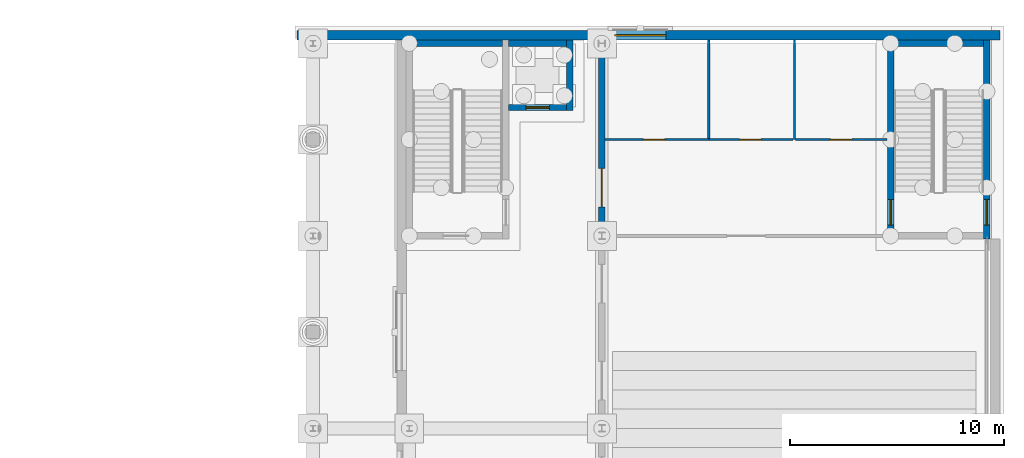
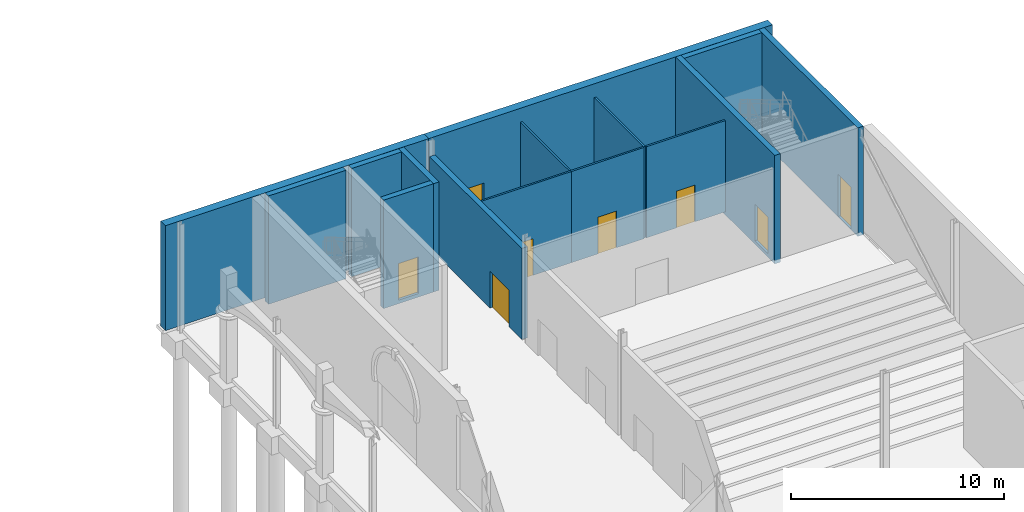
# One storey, part 76 of 106: 15 walls, 8 doors, 8 openings.
"""IFC4 building model written with IfcOpenShell, lengths in metres."""

from ifc_helpers import new_model, si_unit, direction, frame, frame_2d, origin, place, context, subcontext, project, spatial, rectangle, extrude, material, layer, layer_set, type_object, element, fill, save


model = new_model("IFC4")

# Units and contexts
model_context = context("Model", 3, precision=1e-05, world=origin(), true_north=direction((0.0, 1.0)))
body_context = subcontext(model_context, "Body", "Model", "MODEL_VIEW")
ifc_project = project(units=[si_unit("LENGTHUNIT", "METRE"), si_unit("AREAUNIT", "SQUARE_METRE"), si_unit("VOLUMEUNIT", "CUBIC_METRE"), si_unit("PLANEANGLEUNIT", "RADIAN"), si_unit("MASSUNIT", "GRAM", prefix="KILO")], contexts=[model_context])

# Site, building, storey
site_placement = place(None, origin())
site = spatial("IfcSite", under=ifc_project, at=site_placement, CompositionType="ELEMENT")
building_placement = place(site_placement, origin())
building = spatial("IfcBuilding", under=site, at=building_placement, Name="Hortulan Conservatory and Botanical Research Centre", CompositionType="ELEMENT")
storey_placement = place(building_placement, origin())
storey = spatial("IfcBuildingStorey", under=building, at=storey_placement, Name="L00", CompositionType="ELEMENT", Elevation=0.0)

# Wall, opening, door
ifc_material_1 = material(Name="Brick masonry with acoustic lining", Category="masonry")
ifc_layer_1 = layer(ifc_material_1, 0.300048828125)
ifc_layer_set_1 = layer_set([ifc_layer_1], Name="Acoustic Hall Wall 300")
wall_type_1 = type_object("IfcWallType", Name="Acoustic Hall Wall 300", PredefinedType="STANDARD", material=ifc_layer_set_1)
wall_1_placement = place(storey_placement, frame((90.0, 63.17041015625, 0.0), z_axis=(0.0, 0.0, 1.0), x_axis=(0.0, 1.0, 0.0)))
wall_1 = element("IfcWall", 1, at=wall_1_placement, inside=storey, type_object=wall_type_1, Name="Auditorium hall wall L00 066", PredefinedType="STANDARD", context=body_context, shape_type="SweptSolid", body=[
    extrude(rectangle(XDim=8.6591796875, YDim=0.300048828125, at=frame_2d((4.32958984375, 0.0))), origin(), (0.0, 0.0, 1.0), 5.218017578125),
])
opening_1_placement = place(wall_1_placement, frame((1.179443359375, 0.0, 0.0)))
opening_1 = element("IfcOpeningElement", 2, at=opening_1_placement, cuts=wall_1, Name="Opening DT8", PredefinedType="OPENING", context=body_context, shape_type="SweptSolid", body=[
    extrude(rectangle(XDim=1.800048828125, YDim=2.10009765625, at=frame_2d((0.89990234375, 1.050048828125))), frame((0.0, 0.159912109375, 0.0), z_axis=(0.0, -1.0, 0.0), x_axis=(1.0, 0.0, 0.0)), (0.0, 0.0, 1.0), 0.320068359375),
])
ifc_material_2 = material(Name="Steel door leaf, insulated", Category="steel")
door_type_1 = type_object("IfcDoorType", Name="Lobby Double Door 1800x2100 FRL -/60/30", OperationType="DOUBLE_DOOR_SINGLE_SWING", PredefinedType="DOOR", material=ifc_material_2)
door_1_placement = place(opening_1_placement, origin())
door_1 = element("IfcDoor", 3, at=door_1_placement, inside=storey, type_object=door_type_1, Name="Door DT8 Stalls Rear Foyer to Foyer Stair Lobby", OperationType="DOUBLE_DOOR_SINGLE_SWING", OverallHeight=2.10009765625, OverallWidth=1.800048828125, PredefinedType="DOOR", context=body_context, shape_type="SweptSolid", body=[
    extrude(rectangle(XDim=1.800048828125, YDim=2.10009765625, at=frame_2d((0.89990234375, 1.050048828125))), frame((0.0, 0.02490234375, 0.0), z_axis=(0.0, -1.0, 0.0), x_axis=(1.0, 0.0, 0.0)), (0.0, 0.0, 1.0), 0.050048828125),
])
fill(opening_1, door_1)

# Wall
ifc_material_3 = material(Name="Concrete N40 (40 MPa, AS 3600)", Category="concrete")
ifc_layer_2 = layer(ifc_material_3, 0.300048828125)
ifc_layer_set_2 = layer_set([ifc_layer_2], Name="Core Wall 300 N40 FRL 120/120/120")
wall_type_2 = type_object("IfcWallType", Name="Core Wall 300 N40 FRL 120/120/120", PredefinedType="SHEAR", material=ifc_layer_set_2)
wall_2_placement = place(storey_placement, frame((88.5, 68.85009765625, -0.199951171875), z_axis=(0.0, 0.0, 1.0), x_axis=(0.0, 1.0, 0.0)))
element("IfcWall", 4, at=wall_2_placement, inside=storey, type_object=wall_type_2, Name="Reinforced concrete shaft wall", PredefinedType="SHEAR", context=body_context, shape_type="SweptSolid", body=[
    extrude(rectangle(XDim=3.2998046875, YDim=0.300048828125, at=frame_2d((1.64990234375, 0.0))), origin(), (0.0, 0.0, 1.0), 6.199951171875),
])

# Wall, opening, door
wall_3_placement = place(storey_placement, frame((103.5, 62.85009765625, -0.199951171875), z_axis=(0.0, 0.0, 1.0), x_axis=(0.0, 1.0, 0.0)))
wall_3 = element("IfcWall", 5, at=wall_3_placement, inside=storey, type_object=wall_type_2, Name="Reinforced concrete shaft wall", PredefinedType="SHEAR", context=body_context, shape_type="SweptSolid", body=[
    extrude(rectangle(XDim=9.2998046875, YDim=0.300048828125, at=frame_2d((4.64990234375, 0.0))), origin(), (0.0, 0.0, 1.0), 6.199951171875),
])
opening_2_placement = place(wall_3_placement, frame((0.64990234375, 0.0, 0.199951171875)))
opening_2 = element("IfcOpeningElement", 6, at=opening_2_placement, cuts=wall_3, Name="Opening DT5", PredefinedType="OPENING", context=body_context, shape_type="SweptSolid", body=[
    extrude(rectangle(XDim=1.199951171875, YDim=2.10009765625, at=frame_2d((0.60009765625, 1.050048828125))), frame((0.0, 0.159912109375, 0.0), z_axis=(0.0, -1.0, 0.0), x_axis=(1.0, 0.0, 0.0)), (0.0, 0.0, 1.0), 0.320068359375),
])
door_type_2 = type_object("IfcDoorType", Name="Stair Door 1200x2100 FRL -/120/30", OperationType="NOTDEFINED", PredefinedType="DOOR", material=ifc_material_2)
door_2_placement = place(opening_2_placement, frame((1.199951171875, 0.0, 0.0), z_axis=(0.0, 0.0, 1.0), x_axis=(-1.0, 0.0, 0.0)))
door_2 = element("IfcDoor", 7, at=door_2_placement, inside=storey, type_object=door_type_2, Name="Stair door A3 L00 W to Stalls Rear Foyer", OperationType="SINGLE_SWING_RIGHT", OverallHeight=2.10009765625, OverallWidth=1.199951171875, PredefinedType="DOOR", context=body_context, shape_type="SweptSolid", body=[
    extrude(rectangle(XDim=1.199951171875, YDim=2.10009765625, at=frame_2d((0.60009765625, 1.050048828125))), frame((0.0, 0.02490234375, 0.0), z_axis=(0.0, -1.0, 0.0), x_axis=(1.0, 0.0, 0.0)), (0.0, 0.0, 1.0), 0.050048828125),
])
fill(opening_2, door_2)

wall_4_placement = place(storey_placement, frame((108.0, 62.85009765625, -0.199951171875), z_axis=(0.0, 0.0, 1.0), x_axis=(0.0, 1.0, 0.0)))
wall_4 = element("IfcWall", 8, at=wall_4_placement, inside=storey, type_object=wall_type_2, Name="Reinforced concrete shaft wall", PredefinedType="SHEAR", context=body_context, shape_type="SweptSolid", body=[
    extrude(rectangle(XDim=9.2998046875, YDim=0.300048828125, at=frame_2d((4.64990234375, 0.0))), origin(), (0.0, 0.0, 1.0), 6.199951171875),
])
opening_3_placement = place(wall_4_placement, frame((0.64990234375, 0.0, 0.011962890625)))
opening_3 = element("IfcOpeningElement", 9, at=opening_3_placement, cuts=wall_4, Name="Opening ED7", PredefinedType="OPENING", context=body_context, shape_type="SweptSolid", body=[
    extrude(rectangle(XDim=1.199951171875, YDim=2.39990234375, at=frame_2d((0.60009765625, 1.199951171875))), frame((0.0, 0.159912109375, 0.0), z_axis=(0.0, -1.0, 0.0), x_axis=(1.0, 0.0, 0.0)), (0.0, 0.0, 1.0), 0.320068359375),
])
ifc_material_4 = material(Name="Bronze and toughened laminated glass", Category="glass")
door_type_3 = type_object("IfcDoorType", Name="Stair Exit Door 1200x2400", OperationType="SINGLE_SWING_LEFT", PredefinedType="DOOR", material=ifc_material_4)
door_3_placement = place(opening_3_placement, frame((1.199951171875, 0.0, 0.0), z_axis=(0.0, 0.0, 1.0), x_axis=(-1.0, 0.0, 0.0)))
door_3 = element("IfcDoor", 10, at=door_3_placement, inside=storey, type_object=door_type_3, Name="Stair exit door", OperationType="SINGLE_SWING_LEFT", OverallHeight=2.39990234375, OverallWidth=1.199951171875, PredefinedType="DOOR", context=body_context, shape_type="SweptSolid", body=[
    extrude(rectangle(XDim=1.199951171875, YDim=2.39990234375, at=frame_2d((0.60009765625, 1.199951171875))), frame((0.0, 0.02490234375, 0.0), z_axis=(0.0, -1.0, 0.0), x_axis=(1.0, 0.0, 0.0)), (0.0, 0.0, 1.0), 0.050048828125),
])
fill(opening_3, door_3)

wall_5_placement = place(storey_placement, frame((85.64990234375, 69.0, -0.199951171875), z_axis=(0.0, 0.0, 1.0), x_axis=(1.0, 0.0, 0.0)))
wall_5 = element("IfcWall", 11, at=wall_5_placement, inside=storey, type_object=wall_type_2, Name="Reinforced concrete shaft wall", PredefinedType="SHEAR", context=body_context, shape_type="SweptSolid", body=[
    extrude(rectangle(XDim=2.7001953125, YDim=0.300048828125, at=frame_2d((1.35009765625, 0.0))), origin(), (0.0, 0.0, 1.0), 6.199951171875),
])
opening_4_placement = place(wall_5_placement, frame((0.800048828125, 0.0, 0.199951171875)))
opening_4 = element("IfcOpeningElement", 12, at=opening_4_placement, cuts=wall_5, Name="Opening LD1", PredefinedType="OPENING", context=body_context, shape_type="SweptSolid", body=[
    extrude(rectangle(XDim=1.10009765625, YDim=2.10009765625, at=frame_2d((0.550048828125, 1.050048828125))), frame((0.0, 0.159912109375, 0.0), z_axis=(0.0, -1.0, 0.0), x_axis=(1.0, 0.0, 0.0)), (0.0, 0.0, 1.0), 0.320068359375),
])
ifc_material_5 = material(Name="Stainless steel door leaves in steel frame", Category="steel")
door_type_4 = type_object("IfcDoorType", Name="Lift Landing Door 1100x2100", OperationType="DOUBLE_DOOR_SLIDING", PredefinedType="DOOR", material=ifc_material_5)
door_4_placement = place(opening_4_placement, origin())
door_4 = element("IfcDoor", 13, at=door_4_placement, inside=storey, type_object=door_type_4, Name="Lift LA1 landing door L00", OperationType="DOUBLE_DOOR_SLIDING", OverallHeight=2.10009765625, OverallWidth=1.10009765625, PredefinedType="DOOR", context=body_context, shape_type="SweptSolid", body=[
    extrude(rectangle(XDim=1.10009765625, YDim=2.10009765625, at=frame_2d((0.550048828125, 1.050048828125))), frame((0.0, 0.02490234375, 0.0), z_axis=(0.0, -1.0, 0.0), x_axis=(1.0, 0.0, 0.0)), (0.0, 0.0, 1.0), 0.050048828125),
])
fill(opening_4, door_4)

# Walls
wall_6_placement = place(storey_placement, frame((81.14990234375, 72.0, -0.199951171875), z_axis=(0.0, 0.0, 1.0), x_axis=(1.0, 0.0, 0.0)))
element("IfcWall", 14, at=wall_6_placement, inside=storey, type_object=wall_type_2, Name="Reinforced concrete shaft wall", PredefinedType="SHEAR", context=body_context, shape_type="SweptSolid", body=[
    extrude(rectangle(XDim=4.2001953125, YDim=0.300048828125, at=frame_2d((2.10009765625, 0.0))), origin(), (0.0, 0.0, 1.0), 6.199951171875),
])
wall_7_placement = place(storey_placement, frame((85.64990234375, 72.0, -0.199951171875), z_axis=(0.0, 0.0, 1.0), x_axis=(1.0, 0.0, 0.0)))
element("IfcWall", 15, at=wall_7_placement, inside=storey, type_object=wall_type_2, Name="Reinforced concrete shaft wall", PredefinedType="SHEAR", context=body_context, shape_type="SweptSolid", body=[
    extrude(rectangle(XDim=2.7001953125, YDim=0.300048828125, at=frame_2d((1.35009765625, 0.0))), origin(), (0.0, 0.0, 1.0), 6.199951171875),
])
wall_8_placement = place(storey_placement, frame((103.64990234375, 72.0, -0.199951171875), z_axis=(0.0, 0.0, 1.0), x_axis=(1.0, 0.0, 0.0)))
element("IfcWall", 16, at=wall_8_placement, inside=storey, type_object=wall_type_2, Name="Reinforced concrete shaft wall", PredefinedType="SHEAR", context=body_context, shape_type="SweptSolid", body=[
    extrude(rectangle(XDim=4.2001953125, YDim=0.300048828125, at=frame_2d((2.10009765625, 0.0))), origin(), (0.0, 0.0, 1.0), 6.199951171875),
])
ifc_material_6 = material(Name="Sandstone masonry (Hawkesbury yellow block)", Category="masonry")
ifc_layer_3 = layer(ifc_material_6, 0.449951171875)
ifc_layer_set_3 = layer_set([ifc_layer_3], Name="Sandstone Masonry Cavity Wall 450")
wall_type_3 = type_object("IfcWallType", Name="Sandstone Masonry Cavity Wall 450", PredefinedType="STANDARD", material=ifc_layer_set_3)
wall_9_placement = place(storey_placement, frame((75.75, 72.37939453125, 0.0), z_axis=(0.0, 0.0, 1.0), x_axis=(1.0, 0.0, 0.0)))
element("IfcWall", 17, at=wall_9_placement, inside=storey, type_object=wall_type_3, Name="E-EW-AUD-L00-FN5", PredefinedType="STANDARD", context=body_context, shape_type="SweptSolid", body=[
    extrude(rectangle(XDim=14.25, YDim=0.449951171875, at=frame_2d((7.125, 0.0))), origin(), (0.0, 0.0, 1.0), 6.0),
])

# Wall, opening, door
wall_10_placement = place(storey_placement, frame((90.0, 72.37939453125, 0.0), z_axis=(0.0, 0.0, 1.0), x_axis=(1.0, 0.0, 0.0)))
wall_10 = element("IfcWall", 18, at=wall_10_placement, inside=storey, type_object=wall_type_3, Name="E-EW-AUD-L00-HN2p1", PredefinedType="STANDARD", context=body_context, shape_type="SweptSolid", body=[
    extrude(rectangle(XDim=18.6044921875, YDim=0.449951171875, at=frame_2d((9.30224609375, 0.0))), origin(), (0.0, 0.0, 1.0), 6.0),
])
opening_5_placement = place(wall_10_placement, frame((0.60009765625, 0.0, 0.011962890625)))
opening_5 = element("IfcOpeningElement", 19, at=opening_5_placement, cuts=wall_10, Name="Opening ED3", PredefinedType="OPENING", context=body_context, shape_type="SweptSolid", body=[
    extrude(rectangle(XDim=2.39990234375, YDim=2.39990234375, at=frame_2d((1.199951171875, 1.199951171875))), frame((0.0, 0.23486328125, 0.0), z_axis=(0.0, -1.0, 0.0), x_axis=(1.0, 0.0, 0.0)), (0.0, 0.0, 1.0), 0.469970703125),
])
door_type_5 = type_object("IfcDoorType", Name="Glazed Door Pair 2400x2400", OperationType="DOUBLE_DOOR_DOUBLE_SWING", PredefinedType="DOOR", material=ifc_material_4)
door_5_placement = place(opening_5_placement, origin())
door_5 = element("IfcDoor", 20, at=door_5_placement, inside=storey, type_object=door_type_5, Name="Entrance door", OperationType="DOUBLE_DOOR_DOUBLE_SWING", OverallHeight=2.39990234375, OverallWidth=2.39990234375, PredefinedType="DOOR", context=body_context, shape_type="SweptSolid", body=[
    extrude(rectangle(XDim=2.39990234375, YDim=2.39990234375, at=frame_2d((1.199951171875, 1.199951171875))), frame((0.0, 0.02490234375, 0.0), z_axis=(0.0, -1.0, 0.0), x_axis=(1.0, 0.0, 0.0)), (0.0, 0.0, 1.0), 0.050048828125),
])
fill(opening_5, door_5)

# Walls
ifc_material_7 = material(Name="Moisture-resistant plasterboard on steel studs", Category="steel")
ifc_layer_4 = layer(ifc_material_7, 0.10009765625)
ifc_layer_set_4 = layer_set([ifc_layer_4], Name="Wet Area Partition 100")
wall_type_4 = type_object("IfcWallType", Name="Wet Area Partition 100", PredefinedType="PARTITIONING", material=ifc_layer_set_4)
wall_11_placement = place(storey_placement, frame((95.0, 67.56005859375, 0.0), z_axis=(0.0, 0.0, 1.0), x_axis=(0.0, 1.0, 0.0)))
element("IfcWall", 21, at=wall_11_placement, inside=storey, type_object=wall_type_4, Name="Partition Women's WC and Men's WC L00", PredefinedType="PARTITIONING", context=body_context, shape_type="SweptSolid", body=[
    extrude(rectangle(XDim=4.58447265625, YDim=0.10009765625, at=frame_2d((2.292236328125, 0.0))), origin(), (0.0, 0.0, 1.0), 5.218017578125),
])
wall_12_placement = place(storey_placement, frame((99.0, 67.5, 0.0), z_axis=(0.0, 0.0, 1.0), x_axis=(0.0, 1.0, 0.0)))
element("IfcWall", 22, at=wall_12_placement, inside=storey, type_object=wall_type_4, Name="Partition Men's WC and Accessible WC L00", PredefinedType="PARTITIONING", context=body_context, shape_type="SweptSolid", body=[
    extrude(rectangle(XDim=4.64453125, YDim=0.10009765625, at=frame_2d((2.322265625, 0.0))), origin(), (0.0, 0.0, 1.0), 5.218017578125),
])

# Wall, opening, door
wall_13_placement = place(storey_placement, frame((90.159912109375, 67.5, 0.0), z_axis=(0.0, 0.0, 1.0), x_axis=(1.0, 0.0, 0.0)))
wall_13 = element("IfcWall", 23, at=wall_13_placement, inside=storey, type_object=wall_type_4, Name="Partition Stalls Rear Foyer and Women's WC L00", PredefinedType="PARTITIONING", context=body_context, shape_type="SweptSolid", body=[
    extrude(rectangle(XDim=4.840087890625, YDim=0.10009765625, at=frame_2d((2.419921875, 0.0))), origin(), (0.0, 0.0, 1.0), 5.218017578125),
])
opening_6_placement = place(wall_13_placement, frame((1.778076171875, 0.0, 0.0)))
opening_6 = element("IfcOpeningElement", 24, at=opening_6_placement, cuts=wall_13, Name="Opening DT1", PredefinedType="OPENING", context=body_context, shape_type="SweptSolid", body=[
    extrude(rectangle(XDim=1.0, YDim=2.10009765625, at=frame_2d((0.5, 1.050048828125))), frame((0.0, 0.06005859375, 0.0), z_axis=(0.0, -1.0, 0.0), x_axis=(1.0, 0.0, 0.0)), (0.0, 0.0, 1.0), 0.1201171875),
])
ifc_material_8 = material(Name="Timber door leaf in timber frame", Category="wood")
door_type_6 = type_object("IfcDoorType", Name="Single Door 1000x2100", OperationType="NOTDEFINED", PredefinedType="DOOR", material=ifc_material_8)
door_6_placement = place(opening_6_placement, origin())
door_6 = element("IfcDoor", 25, at=door_6_placement, inside=storey, type_object=door_type_6, Name="Door DT1 Women's WC to Stalls Rear Foyer", OperationType="SINGLE_SWING_LEFT", OverallHeight=2.10009765625, OverallWidth=1.0, PredefinedType="DOOR", context=body_context, shape_type="SweptSolid", body=[
    extrude(rectangle(XDim=1.0, YDim=2.10009765625, at=frame_2d((0.5, 1.050048828125))), frame((0.0, 0.02490234375, 0.0), z_axis=(0.0, -1.0, 0.0), x_axis=(1.0, 0.0, 0.0)), (0.0, 0.0, 1.0), 0.050048828125),
])
fill(opening_6, door_6)

wall_14_placement = place(storey_placement, frame((95.010009765625, 67.5, 0.0), z_axis=(0.0, 0.0, 1.0), x_axis=(1.0, 0.0, 0.0)))
wall_14 = element("IfcWall", 26, at=wall_14_placement, inside=storey, type_object=wall_type_4, Name="Partition Stalls Rear Foyer and Men's WC L00", PredefinedType="PARTITIONING", context=body_context, shape_type="SweptSolid", body=[
    extrude(rectangle(XDim=3.929931640625, YDim=0.10009765625, at=frame_2d((1.96484375, 0.0))), origin(), (0.0, 0.0, 1.0), 5.218017578125),
])
opening_7_placement = place(wall_14_placement, frame((1.42822265625, 0.0, 0.0)))
opening_7 = element("IfcOpeningElement", 27, at=opening_7_placement, cuts=wall_14, Name="Opening DT1", PredefinedType="OPENING", context=body_context, shape_type="SweptSolid", body=[
    extrude(rectangle(XDim=1.0, YDim=2.10009765625, at=frame_2d((0.5, 1.050048828125))), frame((0.0, 0.06005859375, 0.0), z_axis=(0.0, -1.0, 0.0), x_axis=(1.0, 0.0, 0.0)), (0.0, 0.0, 1.0), 0.1201171875),
])
door_7_placement = place(opening_7_placement, origin())
door_7 = element("IfcDoor", 28, at=door_7_placement, inside=storey, type_object=door_type_6, Name="Door DT1 Men's WC to Stalls Rear Foyer", OperationType="SINGLE_SWING_LEFT", OverallHeight=2.10009765625, OverallWidth=1.0, PredefinedType="DOOR", context=body_context, shape_type="SweptSolid", body=[
    extrude(rectangle(XDim=1.0, YDim=2.10009765625, at=frame_2d((0.5, 1.050048828125))), frame((0.0, 0.02490234375, 0.0), z_axis=(0.0, -1.0, 0.0), x_axis=(1.0, 0.0, 0.0)), (0.0, 0.0, 1.0), 0.050048828125),
])
fill(opening_7, door_7)

wall_15_placement = place(storey_placement, frame((99.06005859375, 67.5, 0.0), z_axis=(0.0, 0.0, 1.0), x_axis=(1.0, 0.0, 0.0)))
wall_15 = element("IfcWall", 29, at=wall_15_placement, inside=storey, type_object=wall_type_4, Name="Partition Stalls Rear Foyer and Accessible WC L00", PredefinedType="PARTITIONING", context=body_context, shape_type="SweptSolid", body=[
    extrude(rectangle(XDim=4.280029296875, YDim=0.10009765625, at=frame_2d((2.14013671875, 0.0))), origin(), (0.0, 0.0, 1.0), 5.218017578125),
])
opening_8_placement = place(wall_15_placement, frame((1.628173828125, 0.0, 0.0)))
opening_8 = element("IfcOpeningElement", 30, at=opening_8_placement, cuts=wall_15, Name="Opening DT1", PredefinedType="OPENING", context=body_context, shape_type="SweptSolid", body=[
    extrude(rectangle(XDim=1.0, YDim=2.10009765625, at=frame_2d((0.5, 1.050048828125))), frame((0.0, 0.06005859375, 0.0), z_axis=(0.0, -1.0, 0.0), x_axis=(1.0, 0.0, 0.0)), (0.0, 0.0, 1.0), 0.1201171875),
])
door_8_placement = place(opening_8_placement, origin())
door_8 = element("IfcDoor", 31, at=door_8_placement, inside=storey, type_object=door_type_6, Name="Door DT1 Accessible WC to Stalls Rear Foyer", OperationType="SINGLE_SWING_LEFT", OverallHeight=2.10009765625, OverallWidth=1.0, PredefinedType="DOOR", context=body_context, shape_type="SweptSolid", body=[
    extrude(rectangle(XDim=1.0, YDim=2.10009765625, at=frame_2d((0.5, 1.050048828125))), frame((0.0, 0.02490234375, 0.0), z_axis=(0.0, -1.0, 0.0), x_axis=(1.0, 0.0, 0.0)), (0.0, 0.0, 1.0), 0.050048828125),
])
fill(opening_8, door_8)

save(model, "model.ifc")
